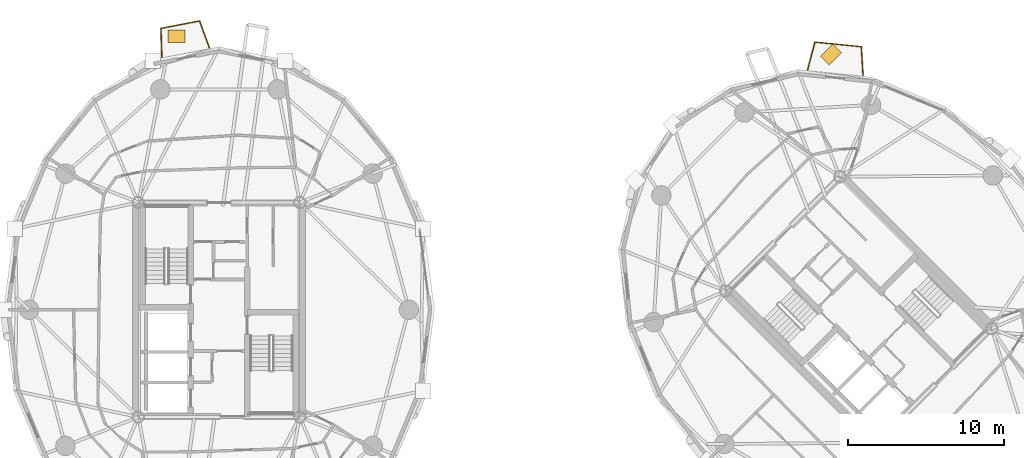
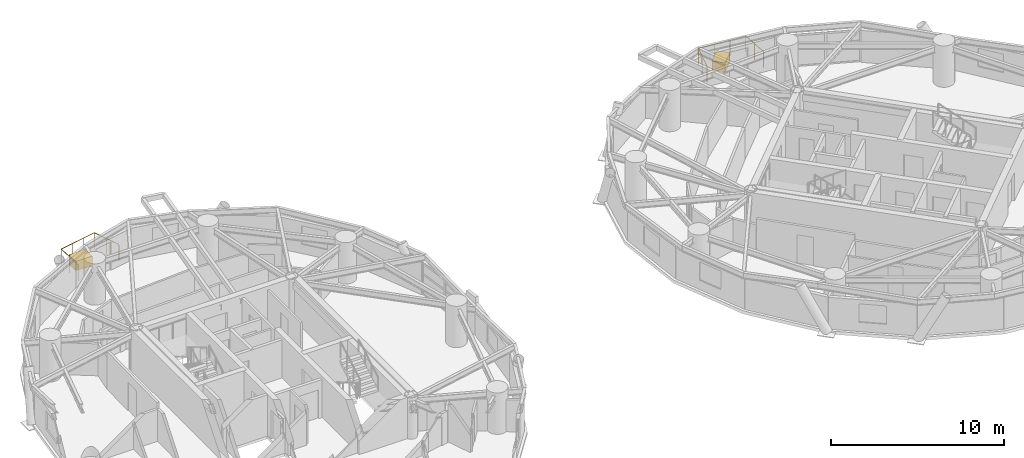
# One storey, part 18 of 18: 2 coverings, 2 railings.
"""IFC4 building model written with IfcOpenShell, lengths in metres."""

from ifc_helpers import new_model, si_unit, direction, frame, origin, origin_2d, place, context, subcontext, project, spatial, rectangle, circle, extrude, source, transform, mapped, material, layer, layer_set, type_object, element, save


model = new_model("IFC4")

# Units and contexts
model_context = context("Model", 3, precision=1e-05, world=origin(), true_north=direction((0.0, 1.0)))
body_context = subcontext(model_context, "Body", "Model", "MODEL_VIEW")
ifc_project = project(units=[si_unit("LENGTHUNIT", "METRE"), si_unit("AREAUNIT", "SQUARE_METRE"), si_unit("VOLUMEUNIT", "CUBIC_METRE"), si_unit("PLANEANGLEUNIT", "RADIAN"), si_unit("MASSUNIT", "GRAM", prefix="KILO")], contexts=[model_context])

# Site, building, storey
site_placement = place(None, origin())
site = spatial("IfcSite", under=ifc_project, at=site_placement, CompositionType="ELEMENT")
building_placement = place(site_placement, origin())
building = spatial("IfcBuilding", under=site, at=building_placement, Name="Cununo Teusaquillo Station Towers", CompositionType="ELEMENT")
storey_placement = place(building_placement, frame((0.0, 0.0, 169.06005859375)))
storey = spatial("IfcBuildingStorey", under=building, at=storey_placement, Name="L53", CompositionType="ELEMENT", Elevation=169.06005859375)

# Railings
ifc_material_1 = material(Name="Anodised dark bronze aluminium EN AW-6063-T6", Category="aluminium")
railing_type = type_object("IfcRailingType", Name="RL-EXT-GUARD", PredefinedType="GUARDRAIL", material=ifc_material_1)
railing_1_placement = place(storey_placement, frame((12.831298828125, 40.6875, 0.0)))
element("IfcRailing", 1, at=railing_1_placement, inside=storey, type_object=railing_type, Name="L53 Tower A Balcony Guardrail C05", PredefinedType="GUARDRAIL", context=body_context, shape_type="SweptSolid", body=[
    extrude(circle(Radius=0.02392578125, at=origin_2d()), frame((0.0, 0.0, 1.1259765625), z_axis=(-0.030460792522, 0.999535962394, 0.0), x_axis=(-0.999535962394, -0.030460792522, 0.0)), (0.0, 0.0, 1.0), 1.8515625),
    extrude(circle(Radius=0.02392578125, at=origin_2d()), frame((-0.056396484375, 1.8505859375, 1.1259765625), z_axis=(0.981842829823, 0.189696224332, 0.0), x_axis=(-0.189696224332, 0.981842829823, 0.0)), (0.0, 0.0, 1.0), 2.517333984375),
    extrude(circle(Radius=0.02392578125, at=origin_2d()), frame((2.415283203125, 2.328125, 1.1259765625), z_axis=(0.3440608985, -0.938947335117, 0.0), x_axis=(0.938947335117, 0.3440608985, 0.0)), (0.0, 0.0, 1.0), 1.851318359375),
    extrude(circle(Radius=0.02099609375, at=origin_2d()), origin(), (0.0, 0.0, 1.0), 1.101806640625),
    extrude(circle(Radius=0.02099609375, at=origin_2d()), frame((-0.0283203125, 0.92529296875, 0.0)), (0.0, 0.0, 1.0), 1.101806640625),
    extrude(circle(Radius=0.02099609375, at=origin_2d()), frame((-0.056396484375, 1.8505859375, 0.0)), (0.0, 0.0, 1.0), 1.101806640625),
    extrude(circle(Radius=0.02099609375, at=origin_2d()), frame((0.767578125, 2.009765625, 0.0)), (0.0, 0.0, 1.0), 1.101806640625),
    extrude(circle(Radius=0.02099609375, at=origin_2d()), frame((1.59130859375, 2.1689453125, 0.0)), (0.0, 0.0, 1.0), 1.101806640625),
    extrude(circle(Radius=0.02099609375, at=origin_2d()), frame((2.415283203125, 2.328125, 0.0)), (0.0, 0.0, 1.0), 1.101806640625),
    extrude(circle(Radius=0.02099609375, at=origin_2d()), frame((2.73388671875, 1.458984375, 0.0)), (0.0, 0.0, 1.0), 1.101806640625),
    extrude(circle(Radius=0.02099609375, at=origin_2d()), frame((3.05224609375, 0.58984375, 0.0)), (0.0, 0.0, 1.0), 1.101806640625),
])
railing_2_placement = place(storey_placement, frame((54.22314453125, 39.859619140625, 0.0)))
element("IfcRailing", 2, at=railing_2_placement, inside=storey, type_object=railing_type, Name="L53 Tower B Balcony Guardrail C02", PredefinedType="GUARDRAIL", context=body_context, shape_type="SweptSolid", body=[
    extrude(circle(Radius=0.02392578125, at=origin_2d()), frame((0.0, 0.0, 1.1259765625), z_axis=(0.256314588121, 0.966593416032, 0.0), x_axis=(-0.966593416032, 0.256314588121, 0.0)), (0.0, 0.0, 1.0), 1.8603515625),
    extrude(circle(Radius=0.02392578125, at=origin_2d()), frame((0.476806640625, 1.798095703125, 1.1259765625), z_axis=(0.995126715076, -0.098604365732, 0.0), x_axis=(0.098604365732, 0.995126715076, 0.0)), (0.0, 0.0, 1.0), 2.983642578125),
    extrude(circle(Radius=0.02392578125, at=origin_2d()), frame((3.44580078125, 1.50390625, 1.1259765625), z_axis=(0.061553016356, -0.998103815331, 0.0), x_axis=(0.998103815331, 0.061553016356, 0.0)), (0.0, 0.0, 1.0), 1.860107421875),
    extrude(circle(Radius=0.02099609375, at=origin_2d()), origin(), (0.0, 0.0, 1.0), 1.101806640625),
    extrude(circle(Radius=0.02099609375, at=origin_2d()), frame((0.23828125, 0.89892578125, 0.0)), (0.0, 0.0, 1.0), 1.101806640625),
    extrude(circle(Radius=0.02099609375, at=origin_2d()), frame((0.476806640625, 1.798095703125, 0.0)), (0.0, 0.0, 1.0), 1.101806640625),
    extrude(circle(Radius=0.02099609375, at=origin_2d()), frame((1.466552734375, 1.699951171875, 0.0)), (0.0, 0.0, 1.0), 1.101806640625),
    extrude(circle(Radius=0.02099609375, at=origin_2d()), frame((2.4560546875, 1.60205078125, 0.0)), (0.0, 0.0, 1.0), 1.101806640625),
    extrude(circle(Radius=0.02099609375, at=origin_2d()), frame((3.44580078125, 1.50390625, 0.0)), (0.0, 0.0, 1.0), 1.101806640625),
    extrude(circle(Radius=0.02099609375, at=origin_2d()), frame((3.5029296875, 0.57568359375, 0.0)), (0.0, 0.0, 1.0), 1.101806640625),
    extrude(circle(Radius=0.02099609375, at=origin_2d()), frame((3.560302734375, -0.352783203125, 0.0)), (0.0, 0.0, 1.0), 1.101806640625),
])

# Coverings
ifc_material_2 = material(Name="Architectural GRC planter shell and engineered root-zone substrate", Category="concrete")
ifc_layer = layer(ifc_material_2, 0.64990234375)
ifc_layer_set = layer_set([ifc_layer], Name="Architectural GRC planter shell and engineered root-zone substrate")
covering_type = type_object("IfcCoveringType", Name="COV-TREE-PLANTER", PredefinedType="CLADDING", material=ifc_layer_set)
shared_shape = source(origin(), body_context, "Body", "SweptSolid", [
    extrude(rectangle(XDim=1.10009765625, YDim=0.800048828125, at=origin_2d()), origin(), (0.0, 0.0, 1.0), 0.64990234375),
])
for number, where, z_axis, x_axis, name in (
    (3, (13.762939453125, 42.02978515625, 0.0), (0.0, 0.0, 1.0), (1.0, 0.0, 0.0), "L53 Tower A Balcony Tree PLANTER C05"),
    (4, (55.733154296875, 40.860595703125, 0.0), (0.0, 0.0, 1.0), (0.707106781187, 0.707106781187, 0.0), "L53 Tower B Balcony Tree PLANTER C02"),
):
    element("IfcCovering", number, at=place(storey_placement, frame(where, z_axis=z_axis, x_axis=x_axis)), inside=storey, type_object=covering_type, Name=name, PredefinedType="CLADDING", context=body_context, shape_type="MappedRepresentation", body=[
        mapped(shared_shape, transform((0.0, 0.0, 0.0), x_axis=(1.0, 0.0, 0.0), y_axis=(0.0, 1.0, 0.0), z_axis=(0.0, 0.0, 1.0), scale=1.0)),
    ])

save(model, "model.ifc")
